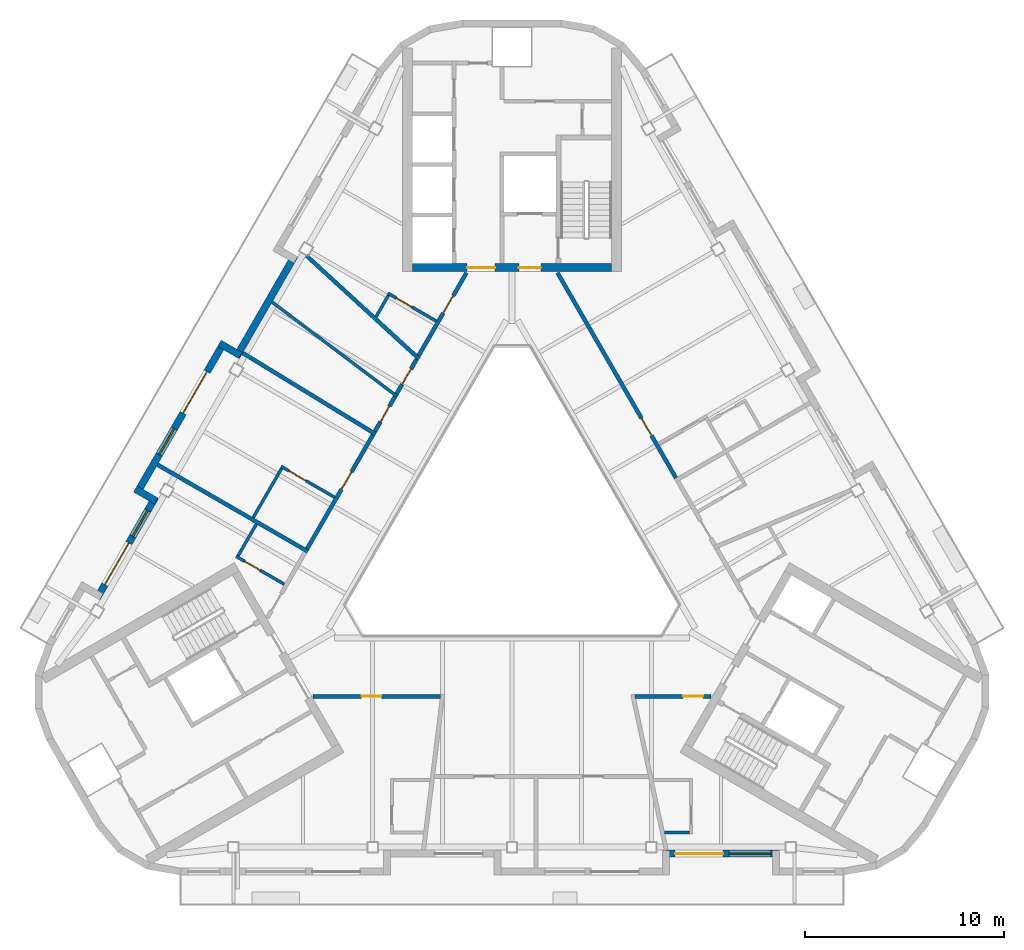
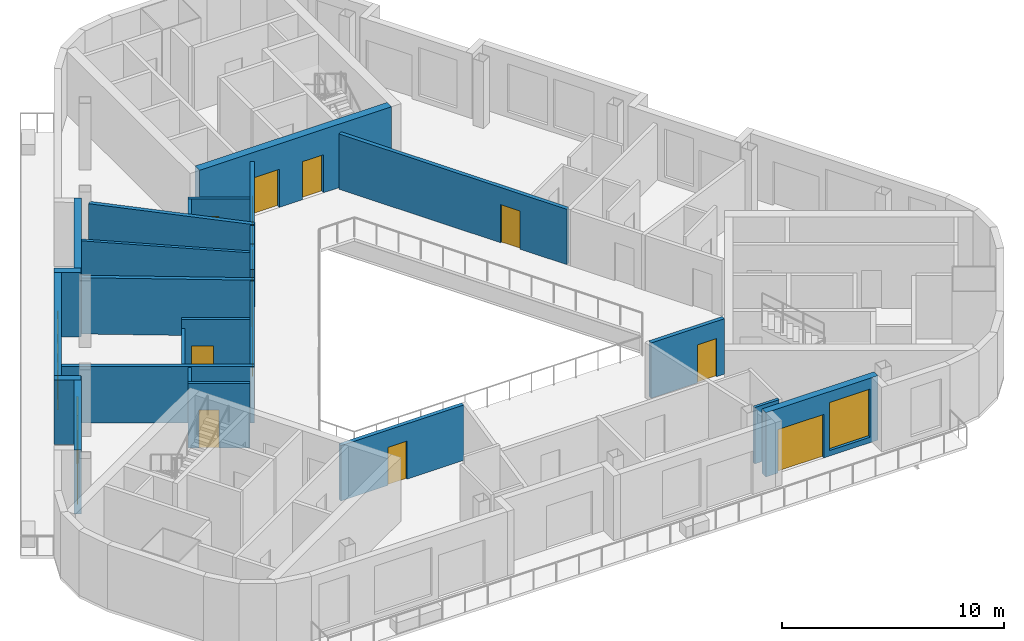
# One storey, part 4 of 12: 25 walls, 15 doors, 3 windows, 18 openings.
"""IFC4 building model written with IfcOpenShell, lengths in metres."""

from ifc_helpers import new_model, si_unit, direction, frame, frame_2d, origin, place, context, subcontext, project, spatial, rectangle, extrude, material, layer, layer_set, type_object, element, fill, save


model = new_model("IFC4")

# Units and contexts
model_context = context("Model", 3, precision=1e-05, world=origin(), true_north=direction((0.0, 1.0)))
body_context = subcontext(model_context, "Body", "Model", "MODEL_VIEW")
ifc_project = project(units=[si_unit("LENGTHUNIT", "METRE"), si_unit("AREAUNIT", "SQUARE_METRE"), si_unit("VOLUMEUNIT", "CUBIC_METRE"), si_unit("PLANEANGLEUNIT", "RADIAN"), si_unit("MASSUNIT", "GRAM", prefix="KILO")], contexts=[model_context])

# Site, building, storey
site_placement = place(None, origin())
site = spatial("IfcSite", under=ifc_project, at=site_placement, CompositionType="ELEMENT")
building_placement = place(site_placement, origin())
building = spatial("IfcBuilding", under=site, at=building_placement, Name="Apuvela Tower Hotel", CompositionType="ELEMENT")
storey_placement = place(building_placement, frame((0.0, 0.0, 294.800048828125)))
storey = spatial("IfcBuildingStorey", under=building, at=storey_placement, Name="L73", CompositionType="ELEMENT", Elevation=294.800048828125)

# Wall, openings, doors
ifc_material_1 = material(Name="Concrete C50/60", Category="concrete")
ifc_layer_1 = layer(ifc_material_1, 0.39990234375)
ifc_layer_set_1 = layer_set([ifc_layer_1], Name="COR-WALL-CORE-400")
wall_type_1 = type_object("IfcWallType", Name="COR-WALL-CORE-400", PredefinedType="SHEAR", material=ifc_layer_set_1)
wall_1_placement = place(storey_placement, frame((5.0, 13.10009765625, 0.0), z_axis=(0.0, 0.0, 1.0), x_axis=(-1.0, 0.0, 0.0)))
wall_1 = element("IfcWall", 1, at=wall_1_placement, inside=storey, type_object=wall_type_1, Name="Core wall N", PredefinedType="SHEAR", context=body_context, shape_type="SweptSolid", body=[
    extrude(rectangle(XDim=10.0, YDim=0.39990234375, at=frame_2d((5.0, 0.0))), origin(), (0.0, 0.0, 1.0), 3.5),
])
opening_1_placement = place(wall_1_placement, frame((3.550048828125, 0.0, 0.0)))
opening_1 = element("IfcOpeningElement", 2, at=opening_1_placement, cuts=wall_1, Name="Opening N-FD", PredefinedType="OPENING", context=body_context, shape_type="SweptSolid", body=[
    extrude(rectangle(XDim=1.10009765625, YDim=2.10009765625, at=frame_2d((0.550048828125, 1.050048828125))), frame((0.0, 0.2099609375, 0.0), z_axis=(0.0, -1.0, 0.0), x_axis=(1.0, 0.0, 0.0)), (0.0, 0.0, 1.0), 0.419921875),
])
opening_2_placement = place(wall_1_placement, frame((5.85009765625, 0.0, 0.0)))
opening_2 = element("IfcOpeningElement", 3, at=opening_2_placement, cuts=wall_1, Name="Opening N-GD", PredefinedType="OPENING", context=body_context, shape_type="SweptSolid", body=[
    extrude(rectangle(XDim=1.39990234375, YDim=2.10009765625, at=frame_2d((0.699951171875, 1.050048828125))), frame((0.0, 0.2099609375, 0.0), z_axis=(0.0, -1.0, 0.0), x_axis=(1.0, 0.0, 0.0)), (0.0, 0.0, 1.0), 0.419921875),
])
ifc_material_2 = material(Name="Steel fire door, powder coated", Category="steel")
door_type_1 = type_object("IfcDoorType", Name="COR-FD-1100", OperationType="NOTDEFINED", PredefinedType="DOOR", material=ifc_material_2)
door_1_placement = place(opening_1_placement, frame((1.10009765625, 0.0, 0.0), z_axis=(0.0, 0.0, 1.0), x_axis=(-1.0, 0.0, 0.0)))
door_1 = element("IfcDoor", 4, at=door_1_placement, inside=storey, type_object=door_type_1, Name="Firefighting lobby door N-FD", OperationType="SINGLE_SWING_LEFT", OverallHeight=2.10009765625, OverallWidth=1.10009765625, PredefinedType="DOOR", context=body_context, shape_type="SweptSolid", body=[
    extrude(rectangle(XDim=1.10009765625, YDim=2.10009765625, at=frame_2d((0.550048828125, 1.050048828125))), frame((0.0, 0.02490234375, 0.0), z_axis=(0.0, -1.0, 0.0), x_axis=(1.0, 0.0, 0.0)), (0.0, 0.0, 1.0), 0.050048828125),
])
fill(opening_1, door_1)
ifc_material_3 = material(Name="Glazed steel fire door", Category="steel")
door_type_2 = type_object("IfcDoorType", Name="COR-GD-1400", OperationType="DOUBLE_DOOR_SINGLE_SWING", PredefinedType="DOOR", material=ifc_material_3)
door_2_placement = place(opening_2_placement, frame((1.39990234375, 0.0, 0.0), z_axis=(0.0, 0.0, 1.0), x_axis=(-1.0, 0.0, 0.0)))
door_2 = element("IfcDoor", 5, at=door_2_placement, inside=storey, type_object=door_type_2, Name="Lift lobby door N-GD", OperationType="DOUBLE_DOOR_SINGLE_SWING", OverallHeight=2.10009765625, OverallWidth=1.39990234375, PredefinedType="DOOR", context=body_context, shape_type="SweptSolid", body=[
    extrude(rectangle(XDim=1.39990234375, YDim=2.10009765625, at=frame_2d((0.699951171875, 1.050048828125))), frame((0.0, 0.02490234375, 0.0), z_axis=(0.0, -1.0, 0.0), x_axis=(1.0, 0.0, 0.0)), (0.0, 0.0, 1.0), 0.050048828125),
])
fill(opening_2, door_2)

# Walls
ifc_material_4 = material(Name="Concrete C40/50, dark pigmented precast panel", Category="concrete")
ifc_layer_2 = layer(ifc_material_4, 0.35009765625)
ifc_layer_set_2 = layer_set([ifc_layer_2], Name="ENV-WALL-350")
wall_type_2 = type_object("IfcWallType", Name="ENV-WALL-350", PredefinedType="SOLIDWALL", material=ifc_layer_set_2)
wall_2_placement = place(storey_placement, frame((-10.901123046875, 13.692138671875, 0.0), z_axis=(0.0, 0.0, 1.0), x_axis=(-0.499987198161, -0.866032794804, 0.0)))
element("IfcWall", 6, at=wall_2_placement, inside=storey, type_object=wall_type_2, Name="External wall L73-03", PredefinedType="SOLIDWALL", context=body_context, shape_type="SweptSolid", body=[
    extrude(rectangle(XDim=5.827392578125, YDim=0.35009765625, at=frame_2d((2.91357421875, 0.0))), origin(), (0.0, 0.0, 1.0), 3.550048828125),
])
wall_3_placement = place(storey_placement, frame((-13.616455078125, 8.698486328125, 0.0), z_axis=(0.0, 0.0, 1.0), x_axis=(-0.866005645448, 0.500034220881, 0.0)))
element("IfcWall", 7, at=wall_3_placement, inside=storey, type_object=wall_type_2, Name="External wall L73-04", PredefinedType="SOLIDWALL", context=body_context, shape_type="SweptSolid", body=[
    extrude(rectangle(XDim=1.22021484375, YDim=0.35009765625, at=frame_2d((0.610107421875, 0.0))), origin(), (0.0, 0.0, 1.0), 3.550048828125),
])

# Wall, openings, door, window
wall_4_placement = place(storey_placement, frame((-14.43408203125, 9.372802734375, 0.0), z_axis=(0.0, 0.0, 1.0), x_axis=(-0.499999835575, -0.866025498715, 0.0)))
wall_4 = element("IfcWall", 8, at=wall_4_placement, inside=storey, type_object=wall_type_2, Name="External wall L73-05", PredefinedType="SOLIDWALL", context=body_context, shape_type="SweptSolid", body=[
    extrude(rectangle(XDim=8.787109375, YDim=0.35009765625, at=frame_2d((4.3935546875, 0.0))), origin(), (0.0, 0.0, 1.0), 3.550048828125),
])
opening_3_placement = place(wall_4_placement, frame((1.718994140625, 0.0, 0.0)))
opening_3 = element("IfcOpeningElement", 9, at=opening_3_placement, cuts=wall_4, Name="Opening BD24", PredefinedType="OPENING", context=body_context, shape_type="SweptSolid", body=[
    extrude(rectangle(XDim=2.39990234375, YDim=2.39990234375, at=frame_2d((1.199951171875, 1.199951171875))), frame((0.0, 0.18505859375, 0.0), z_axis=(0.0, -1.0, 0.0), x_axis=(1.0, 0.0, 0.0)), (0.0, 0.0, 1.0), 0.3701171875),
])
opening_4_placement = place(wall_4_placement, frame((5.012939453125, 0.0, 0.300048828125)))
opening_4 = element("IfcOpeningElement", 10, at=opening_4_placement, cuts=wall_4, Name="Opening WN15", PredefinedType="OPENING", context=body_context, shape_type="SweptSolid", body=[
    extrude(rectangle(XDim=1.5, YDim=2.64990234375, at=frame_2d((0.75, 1.324951171875))), frame((0.0, 0.18505859375, 0.0), z_axis=(0.0, -1.0, 0.0), x_axis=(1.0, 0.0, 0.0)), (0.0, 0.0, 1.0), 0.3701171875),
])
ifc_material_5 = material(Name="Aluminium 6063-T6, dark bronze anodised frame with dark tinted laminated glass", Category="aluminium")
door_type_3 = type_object("IfcDoorType", Name="ENV-DOOR-BALCONY-2400x2400", OperationType="SLIDING_TO_LEFT", PredefinedType="DOOR", material=ifc_material_5)
door_3_placement = place(opening_3_placement, frame((2.39990234375, 0.0, 0.0), z_axis=(0.0, 0.0, 1.0), x_axis=(-1.0, 0.0, 0.0)))
door_3 = element("IfcDoor", 11, at=door_3_placement, inside=storey, type_object=door_type_3, Name="Balcony door BD24", OperationType="SLIDING_TO_LEFT", OverallHeight=2.39990234375, OverallWidth=2.39990234375, PredefinedType="DOOR", context=body_context, shape_type="SweptSolid", body=[
    extrude(rectangle(XDim=2.39990234375, YDim=2.39990234375, at=frame_2d((1.199951171875, 1.199951171875))), frame((0.0, 0.02490234375, 0.0), z_axis=(0.0, -1.0, 0.0), x_axis=(1.0, 0.0, 0.0)), (0.0, 0.0, 1.0), 0.050048828125),
])
fill(opening_3, door_3)
ifc_material_6 = material(Name="Glass, dark tinted laminated insulated glazing unit", Category="glass")
window_type_1 = type_object("IfcWindowType", Name="ENV-WIN-1500x2650", PartitioningType="SINGLE_PANEL", PredefinedType="WINDOW", material=ifc_material_6)
window_1_placement = place(opening_4_placement, origin())
window_1 = element("IfcWindow", 12, at=window_1_placement, inside=storey, type_object=window_type_1, Name="Window WN15", OverallHeight=2.64990234375, OverallWidth=1.5, PartitioningType="SINGLE_PANEL", PredefinedType="WINDOW", context=body_context, shape_type="SweptSolid", body=[
    extrude(rectangle(XDim=1.5, YDim=2.64990234375, at=frame_2d((0.75, 1.324951171875))), frame((0.0, 0.030029296875, 0.0), z_axis=(0.0, -1.0, 0.0), x_axis=(1.0, 0.0, 0.0)), (0.0, 0.0, 1.0), 0.06005859375),
])
fill(opening_4, window_1)

# Wall
wall_5_placement = place(storey_placement, frame((-18.8916015625, 2.001953125, 0.0), z_axis=(0.0, 0.0, 1.0), x_axis=(0.866042269935, -0.499970785833, 0.0)))
element("IfcWall", 13, at=wall_5_placement, inside=storey, type_object=wall_type_2, Name="External wall L73-06", PredefinedType="SOLIDWALL", context=body_context, shape_type="SweptSolid", body=[
    extrude(rectangle(XDim=1.2197265625, YDim=0.35009765625, at=frame_2d((0.60986328125, 0.0))), origin(), (0.0, 0.0, 1.0), 3.550048828125),
])

# Wall, openings, door, window
wall_6_placement = place(storey_placement, frame((-17.88818359375, 1.590087890625, 0.0), z_axis=(0.0, 0.0, 1.0), x_axis=(-0.499987198161, -0.866032794804, 0.0)))
wall_6 = element("IfcWall", 14, at=wall_6_placement, inside=storey, type_object=wall_type_2, Name="External wall L73-07", PredefinedType="SOLIDWALL", context=body_context, shape_type="SweptSolid", body=[
    extrude(rectangle(XDim=5.827392578125, YDim=0.35009765625, at=frame_2d((2.91357421875, 0.0))), origin(), (0.0, 0.0, 1.0), 3.550048828125),
])
opening_5_placement = place(wall_6_placement, frame((2.6572265625, 0.0, 0.0)))
opening_5 = element("IfcOpeningElement", 15, at=opening_5_placement, cuts=wall_6, Name="Opening BD24", PredefinedType="OPENING", context=body_context, shape_type="SweptSolid", body=[
    extrude(rectangle(XDim=2.39990234375, YDim=2.39990234375, at=frame_2d((1.199951171875, 1.199951171875))), frame((0.0, 0.18505859375, 0.0), z_axis=(0.0, -1.0, 0.0), x_axis=(1.0, 0.0, 0.0)), (0.0, 0.0, 1.0), 0.3701171875),
])
opening_6_placement = place(wall_6_placement, frame((0.77001953125, 0.0, 0.300048828125)))
opening_6 = element("IfcOpeningElement", 16, at=opening_6_placement, cuts=wall_6, Name="Opening WN15", PredefinedType="OPENING", context=body_context, shape_type="SweptSolid", body=[
    extrude(rectangle(XDim=1.5, YDim=2.64990234375, at=frame_2d((0.75, 1.324951171875))), frame((0.0, 0.18505859375, 0.0), z_axis=(0.0, -1.0, 0.0), x_axis=(1.0, 0.0, 0.0)), (0.0, 0.0, 1.0), 0.3701171875),
])
door_4_placement = place(opening_5_placement, frame((2.39990234375, 0.0, 0.0), z_axis=(0.0, 0.0, 1.0), x_axis=(-1.0, 0.0, 0.0)))
door_4 = element("IfcDoor", 17, at=door_4_placement, inside=storey, type_object=door_type_3, Name="Balcony door BD24", OperationType="SLIDING_TO_LEFT", OverallHeight=2.39990234375, OverallWidth=2.39990234375, PredefinedType="DOOR", context=body_context, shape_type="SweptSolid", body=[
    extrude(rectangle(XDim=2.39990234375, YDim=2.39990234375, at=frame_2d((1.199951171875, 1.199951171875))), frame((0.0, 0.02490234375, 0.0), z_axis=(0.0, -1.0, 0.0), x_axis=(1.0, 0.0, 0.0)), (0.0, 0.0, 1.0), 0.050048828125),
])
fill(opening_5, door_4)
window_2_placement = place(opening_6_placement, origin())
window_2 = element("IfcWindow", 18, at=window_2_placement, inside=storey, type_object=window_type_1, Name="Window WN15", OverallHeight=2.64990234375, OverallWidth=1.5, PartitioningType="SINGLE_PANEL", PredefinedType="WINDOW", context=body_context, shape_type="SweptSolid", body=[
    extrude(rectangle(XDim=1.5, YDim=2.64990234375, at=frame_2d((0.75, 1.324951171875))), frame((0.0, 0.030029296875, 0.0), z_axis=(0.0, -1.0, 0.0), x_axis=(1.0, 0.0, 0.0)), (0.0, 0.0, 1.0), 0.06005859375),
])
fill(opening_6, window_2)

wall_7_placement = place(storey_placement, frame((7.567138671875, -16.28662109375, 0.0), z_axis=(0.0, 0.0, 1.0), x_axis=(1.0, 0.0, 0.0)))
wall_7 = element("IfcWall", 19, at=wall_7_placement, inside=storey, type_object=wall_type_2, Name="External wall L73-23", PredefinedType="SOLIDWALL", context=body_context, shape_type="SweptSolid", body=[
    extrude(rectangle(XDim=5.8271484375, YDim=0.35009765625, at=frame_2d((2.91357421875, 0.0))), origin(), (0.0, 0.0, 1.0), 3.550048828125),
])
opening_7_placement = place(wall_7_placement, frame((0.616943359375, 0.0, 0.0)))
opening_7 = element("IfcOpeningElement", 20, at=opening_7_placement, cuts=wall_7, Name="Opening BD24", PredefinedType="OPENING", context=body_context, shape_type="SweptSolid", body=[
    extrude(rectangle(XDim=2.39990234375, YDim=2.39990234375, at=frame_2d((1.199951171875, 1.199951171875))), frame((0.0, 0.18505859375, 0.0), z_axis=(0.0, -1.0, 0.0), x_axis=(1.0, 0.0, 0.0)), (0.0, 0.0, 1.0), 0.3701171875),
])
opening_8_placement = place(wall_7_placement, frame((3.31689453125, 0.0, 0.300048828125)))
opening_8 = element("IfcOpeningElement", 21, at=opening_8_placement, cuts=wall_7, Name="Opening WN21", PredefinedType="OPENING", context=body_context, shape_type="SweptSolid", body=[
    extrude(rectangle(XDim=2.10009765625, YDim=2.64990234375, at=frame_2d((1.050048828125, 1.324951171875))), frame((0.0, 0.18505859375, 0.0), z_axis=(0.0, -1.0, 0.0), x_axis=(1.0, 0.0, 0.0)), (0.0, 0.0, 1.0), 0.3701171875),
])
door_5_placement = place(opening_7_placement, frame((2.39990234375, 0.0, 0.0), z_axis=(0.0, 0.0, 1.0), x_axis=(-1.0, 0.0, 0.0)))
door_5 = element("IfcDoor", 22, at=door_5_placement, inside=storey, type_object=door_type_3, Name="Balcony door BD24", OperationType="SLIDING_TO_LEFT", OverallHeight=2.39990234375, OverallWidth=2.39990234375, PredefinedType="DOOR", context=body_context, shape_type="SweptSolid", body=[
    extrude(rectangle(XDim=2.39990234375, YDim=2.39990234375, at=frame_2d((1.199951171875, 1.199951171875))), frame((0.0, 0.02490234375, 0.0), z_axis=(0.0, -1.0, 0.0), x_axis=(1.0, 0.0, 0.0)), (0.0, 0.0, 1.0), 0.050048828125),
])
fill(opening_7, door_5)
window_type_2 = type_object("IfcWindowType", Name="ENV-WIN-2100x2650", PartitioningType="SINGLE_PANEL", PredefinedType="WINDOW", material=ifc_material_6)
window_3_placement = place(opening_8_placement, origin())
window_3 = element("IfcWindow", 23, at=window_3_placement, inside=storey, type_object=window_type_2, Name="Window WN21", OverallHeight=2.64990234375, OverallWidth=2.10009765625, PartitioningType="SINGLE_PANEL", PredefinedType="WINDOW", context=body_context, shape_type="SweptSolid", body=[
    extrude(rectangle(XDim=2.10009765625, YDim=2.64990234375, at=frame_2d((1.050048828125, 1.324951171875))), frame((0.0, 0.030029296875, 0.0), z_axis=(0.0, -1.0, 0.0), x_axis=(1.0, 0.0, 0.0)), (0.0, 0.0, 1.0), 0.06005859375),
])
fill(opening_8, window_3)

# Walls
ifc_material_7 = material(Name="Gypsum board partition on twin steel stud", Category="steel")
ifc_layer_3 = layer(ifc_material_7, 0.199951171875)
ifc_layer_set_3 = layer_set([ifc_layer_3], Name="GST-PW1")
wall_type_3 = type_object("IfcWallType", Name="GST-PW1", PredefinedType="PARTITIONING", material=ifc_layer_set_3)
wall_8_placement = place(storey_placement, frame((-10.30224609375, 13.698486328125, 0.0), z_axis=(0.0, 0.0, 1.0), x_axis=(0.737268015828, -0.675600379541, 0.0)))
element("IfcWall", 24, at=wall_8_placement, inside=storey, type_object=wall_type_3, Name="L73 partition 06", PredefinedType="PARTITIONING", context=body_context, shape_type="SweptSolid", body=[
    extrude(rectangle(XDim=7.652587890625, YDim=0.199951171875, at=frame_2d((3.826171875, 0.0))), origin(), (0.0, 0.0, 1.0), 3.099853515625),
])
wall_9_placement = place(storey_placement, frame((-13.50927734375, 8.82470703125, 0.0), z_axis=(0.0, 0.0, 1.0), x_axis=(0.853427769022, -0.521211130984, 0.0)))
element("IfcWall", 25, at=wall_9_placement, inside=storey, type_object=wall_type_3, Name="L73 partition 07", PredefinedType="PARTITIONING", context=body_context, shape_type="SweptSolid", body=[
    extrude(rectangle(XDim=7.81396484375, YDim=0.199951171875, at=frame_2d((3.906982421875, 0.0))), origin(), (0.0, 0.0, 1.0), 3.099853515625),
])
wall_10_placement = place(storey_placement, frame((-17.782470703125, 3.22314453125, 0.0), z_axis=(0.0, 0.0, 1.0), x_axis=(0.866016642396, -0.500015174863, 0.0)))
element("IfcWall", 26, at=wall_10_placement, inside=storey, type_object=wall_type_3, Name="L73 partition 08", PredefinedType="PARTITIONING", context=body_context, shape_type="SweptSolid", body=[
    extrude(rectangle(XDim=8.711669921875, YDim=0.199951171875, at=frame_2d((4.35595703125, 0.0))), origin(), (0.0, 0.0, 1.0), 3.099853515625),
])

# Wall, opening, door
ifc_material_8 = material(Name="Gypsum board corridor wall on twin steel stud, acoustic", Category="steel")
ifc_layer_4 = layer(ifc_material_8, 0.199951171875)
ifc_layer_set_4 = layer_set([ifc_layer_4], Name="GST-PW2")
wall_type_4 = type_object("IfcWallType", Name="GST-PW2", PredefinedType="PARTITIONING", material=ifc_layer_set_4)
wall_11_placement = place(storey_placement, frame((-3.58837890625, -8.39990234375, 0.0), z_axis=(0.0, 0.0, 1.0), x_axis=(-1.0, 0.0, 0.0)))
wall_11 = element("IfcWall", 27, at=wall_11_placement, inside=storey, type_object=wall_type_4, Name="L73 partition 09", PredefinedType="PARTITIONING", context=body_context, shape_type="SweptSolid", body=[
    extrude(rectangle(XDim=6.39990234375, YDim=0.199951171875, at=frame_2d((3.199951171875, 0.0))), origin(), (0.0, 0.0, 1.0), 3.050048828125),
])
opening_9_placement = place(wall_11_placement, frame((2.957275390625, 0.0, 0.0)))
opening_9 = element("IfcOpeningElement", 28, at=opening_9_placement, cuts=wall_11, Name="Opening GD29-02", PredefinedType="OPENING", context=body_context, shape_type="SweptSolid", body=[
    extrude(rectangle(XDim=1.0, YDim=2.10009765625, at=frame_2d((0.5, 1.050048828125))), frame((0.0, 0.10986328125, 0.0), z_axis=(0.0, -1.0, 0.0), x_axis=(1.0, 0.0, 0.0)), (0.0, 0.0, 1.0), 0.219970703125),
])
ifc_material_9 = material(Name="Timber door leaf in steel frame", Category="steel")
door_type_4 = type_object("IfcDoorType", Name="GST-D1", OperationType="NOTDEFINED", PredefinedType="DOOR", material=ifc_material_9)
door_6_placement = place(opening_9_placement, origin())
door_6 = element("IfcDoor", 29, at=door_6_placement, inside=storey, type_object=door_type_4, Name="Door L73-02", OperationType="SINGLE_SWING_RIGHT", OverallHeight=2.10009765625, OverallWidth=1.0, PredefinedType="DOOR", context=body_context, shape_type="SweptSolid", body=[
    extrude(rectangle(XDim=1.0, YDim=2.10009765625, at=frame_2d((0.5, 1.050048828125))), frame((0.0, 0.02490234375, 0.0), z_axis=(0.0, -1.0, 0.0), x_axis=(1.0, 0.0, 0.0)), (0.0, 0.0, 1.0), 0.050048828125),
])
fill(opening_9, door_6)

wall_12_placement = place(storey_placement, frame((9.98828125, -8.39990234375, 0.0), z_axis=(0.0, 0.0, 1.0), x_axis=(-1.0, 0.0, 0.0)))
wall_12 = element("IfcWall", 30, at=wall_12_placement, inside=storey, type_object=wall_type_4, Name="L73 partition 15", PredefinedType="PARTITIONING", context=body_context, shape_type="SweptSolid", body=[
    extrude(rectangle(XDim=3.807373046875, YDim=0.199951171875, at=frame_2d((1.90380859375, 0.0))), origin(), (0.0, 0.0, 1.0), 3.050048828125),
])
opening_10_placement = place(wall_12_placement, frame((0.39990234375, 0.0, 0.0)))
opening_10 = element("IfcOpeningElement", 31, at=opening_10_placement, cuts=wall_12, Name="Opening GD29-06", PredefinedType="OPENING", context=body_context, shape_type="SweptSolid", body=[
    extrude(rectangle(XDim=1.0, YDim=2.10009765625, at=frame_2d((0.5, 1.050048828125))), frame((0.0, 0.10986328125, 0.0), z_axis=(0.0, -1.0, 0.0), x_axis=(1.0, 0.0, 0.0)), (0.0, 0.0, 1.0), 0.219970703125),
])
door_7_placement = place(opening_10_placement, origin())
door_7 = element("IfcDoor", 32, at=door_7_placement, inside=storey, type_object=door_type_4, Name="Door L73-06", OperationType="SINGLE_SWING_LEFT", OverallHeight=2.10009765625, OverallWidth=1.0, PredefinedType="DOOR", context=body_context, shape_type="SweptSolid", body=[
    extrude(rectangle(XDim=1.0, YDim=2.10009765625, at=frame_2d((0.5, 1.050048828125))), frame((0.0, 0.02490234375, 0.0), z_axis=(0.0, -1.0, 0.0), x_axis=(1.0, 0.0, 0.0)), (0.0, 0.0, 1.0), 0.050048828125),
])
fill(opening_10, door_7)

wall_13_placement = place(storey_placement, frame((2.280517578125, 12.85009765625, 0.0), z_axis=(0.0, 0.0, 1.0), x_axis=(0.500002143212, -0.866024166397, 0.0)))
wall_13 = element("IfcWall", 33, at=wall_13_placement, inside=storey, type_object=wall_type_4, Name="L73 partition 25", PredefinedType="PARTITIONING", context=body_context, shape_type="SweptSolid", body=[
    extrude(rectangle(XDim=11.88818359375, YDim=0.199951171875, at=frame_2d((5.944091796875, 0.0))), origin(), (0.0, 0.0, 1.0), 3.050048828125),
])
opening_11_placement = place(wall_13_placement, frame((8.438232421875, 0.0, 0.0)))
opening_11 = element("IfcOpeningElement", 34, at=opening_11_placement, cuts=wall_13, Name="Opening GD29-13", PredefinedType="OPENING", context=body_context, shape_type="SweptSolid", body=[
    extrude(rectangle(XDim=1.0, YDim=2.10009765625, at=frame_2d((0.5, 1.050048828125))), frame((0.0, 0.10986328125, 0.0), z_axis=(0.0, -1.0, 0.0), x_axis=(1.0, 0.0, 0.0)), (0.0, 0.0, 1.0), 0.219970703125),
])
door_8_placement = place(opening_11_placement, origin())
door_8 = element("IfcDoor", 35, at=door_8_placement, inside=storey, type_object=door_type_4, Name="Door L73-13", OperationType="SINGLE_SWING_LEFT", OverallHeight=2.10009765625, OverallWidth=1.0, PredefinedType="DOOR", context=body_context, shape_type="SweptSolid", body=[
    extrude(rectangle(XDim=1.0, YDim=2.10009765625, at=frame_2d((0.5, 1.050048828125))), frame((0.0, 0.02490234375, 0.0), z_axis=(0.0, -1.0, 0.0), x_axis=(1.0, 0.0, 0.0)), (0.0, 0.0, 1.0), 0.050048828125),
])
fill(opening_11, door_8)

wall_14_placement = place(storey_placement, frame((-4.6845703125, 8.686279296875, 0.0), z_axis=(0.0, 0.0, 1.0), x_axis=(0.500011088314, 0.866019001848, 0.0)))
wall_14 = element("IfcWall", 36, at=wall_14_placement, inside=storey, type_object=wall_type_4, Name="L73 partition 30", PredefinedType="PARTITIONING", context=body_context, shape_type="SweptSolid", body=[
    extrude(rectangle(XDim=4.80810546875, YDim=0.199951171875, at=frame_2d((2.404052734375, 0.0))), origin(), (0.0, 0.0, 1.0), 3.050048828125),
])
opening_12_placement = place(wall_14_placement, frame((2.47216796875, 0.0, 0.0)))
opening_12 = element("IfcOpeningElement", 37, at=opening_12_placement, cuts=wall_14, Name="Opening GD29-15", PredefinedType="OPENING", context=body_context, shape_type="SweptSolid", body=[
    extrude(rectangle(XDim=1.0, YDim=2.10009765625, at=frame_2d((0.5, 1.050048828125))), frame((0.0, 0.10986328125, 0.0), z_axis=(0.0, -1.0, 0.0), x_axis=(1.0, 0.0, 0.0)), (0.0, 0.0, 1.0), 0.219970703125),
])
door_9_placement = place(opening_12_placement, origin())
door_9 = element("IfcDoor", 38, at=door_9_placement, inside=storey, type_object=door_type_4, Name="Door L73-15", OperationType="SINGLE_SWING_RIGHT", OverallHeight=2.10009765625, OverallWidth=1.0, PredefinedType="DOOR", context=body_context, shape_type="SweptSolid", body=[
    extrude(rectangle(XDim=1.0, YDim=2.10009765625, at=frame_2d((0.5, 1.050048828125))), frame((0.0, 0.02490234375, 0.0), z_axis=(0.0, -1.0, 0.0), x_axis=(1.0, 0.0, 0.0)), (0.0, 0.0, 1.0), 0.050048828125),
])
fill(opening_12, door_9)

wall_15_placement = place(storey_placement, frame((-5.793212890625, 6.765869140625, 0.0), z_axis=(0.0, 0.0, 1.0), x_axis=(0.500026968848, 0.866009832753, 0.0)))
wall_15 = element("IfcWall", 39, at=wall_15_placement, inside=storey, type_object=wall_type_4, Name="L73 partition 34", PredefinedType="PARTITIONING", context=body_context, shape_type="SweptSolid", body=[
    extrude(rectangle(XDim=2.0126953125, YDim=0.199951171875, at=frame_2d((1.00634765625, 0.0))), origin(), (0.0, 0.0, 1.0), 3.050048828125),
])
opening_13_placement = place(wall_15_placement, frame((0.556396484375, 0.0, 0.0)))
opening_13 = element("IfcOpeningElement", 40, at=opening_13_placement, cuts=wall_15, Name="Opening GD29-16", PredefinedType="OPENING", context=body_context, shape_type="SweptSolid", body=[
    extrude(rectangle(XDim=0.89990234375, YDim=2.10009765625, at=frame_2d((0.449951171875, 1.050048828125))), frame((0.0, 0.10986328125, 0.0), z_axis=(0.0, -1.0, 0.0), x_axis=(1.0, 0.0, 0.0)), (0.0, 0.0, 1.0), 0.219970703125),
])
door_type_5 = type_object("IfcDoorType", Name="GST-D2", OperationType="NOTDEFINED", PredefinedType="DOOR", material=ifc_material_9)
door_10_placement = place(opening_13_placement, origin())
door_10 = element("IfcDoor", 41, at=door_10_placement, inside=storey, type_object=door_type_5, Name="Door L73-16", OperationType="SINGLE_SWING_LEFT", OverallHeight=2.10009765625, OverallWidth=0.89990234375, PredefinedType="DOOR", context=body_context, shape_type="SweptSolid", body=[
    extrude(rectangle(XDim=0.89990234375, YDim=2.10009765625, at=frame_2d((0.449951171875, 1.050048828125))), frame((0.0, 0.02490234375, 0.0), z_axis=(0.0, -1.0, 0.0), x_axis=(1.0, 0.0, 0.0)), (0.0, 0.0, 1.0), 0.050048828125),
])
fill(opening_13, door_10)

wall_16_placement = place(storey_placement, frame((-6.875732421875, 4.890625, 0.0), z_axis=(0.0, 0.0, 1.0), x_axis=(0.499865783083, 0.866102880092, 0.0)))
wall_16 = element("IfcWall", 42, at=wall_16_placement, inside=storey, type_object=wall_type_4, Name="L73 partition 35", PredefinedType="PARTITIONING", context=body_context, shape_type="SweptSolid", body=[
    extrude(rectangle(XDim=2.01513671875, YDim=0.199951171875, at=frame_2d((1.007568359375, 0.0))), origin(), (0.0, 0.0, 1.0), 3.550048828125),
])
opening_14_placement = place(wall_16_placement, frame((0.5576171875, 0.0, 0.0)))
opening_14 = element("IfcOpeningElement", 43, at=opening_14_placement, cuts=wall_16, Name="Opening GD29-17", PredefinedType="OPENING", context=body_context, shape_type="SweptSolid", body=[
    extrude(rectangle(XDim=0.89990234375, YDim=2.10009765625, at=frame_2d((0.449951171875, 1.050048828125))), frame((0.0, 0.10986328125, 0.0), z_axis=(0.0, -1.0, 0.0), x_axis=(1.0, 0.0, 0.0)), (0.0, 0.0, 1.0), 0.219970703125),
])
door_11_placement = place(opening_14_placement, origin())
door_11 = element("IfcDoor", 44, at=door_11_placement, inside=storey, type_object=door_type_5, Name="Door L73-17", OperationType="SINGLE_SWING_RIGHT", OverallHeight=2.10009765625, OverallWidth=0.89990234375, PredefinedType="DOOR", context=body_context, shape_type="SweptSolid", body=[
    extrude(rectangle(XDim=0.89990234375, YDim=2.10009765625, at=frame_2d((0.449951171875, 1.050048828125))), frame((0.0, 0.02490234375, 0.0), z_axis=(0.0, -1.0, 0.0), x_axis=(1.0, 0.0, 0.0)), (0.0, 0.0, 1.0), 0.050048828125),
])
fill(opening_14, door_11)

wall_17_placement = place(storey_placement, frame((-10.274658203125, -0.99609375, 0.0), z_axis=(0.0, 0.0, 1.0), x_axis=(0.500007539231, 0.866021050964, 0.0)))
wall_17 = element("IfcWall", 45, at=wall_17_placement, inside=storey, type_object=wall_type_4, Name="L73 partition 36", PredefinedType="PARTITIONING", context=body_context, shape_type="SweptSolid", body=[
    extrude(rectangle(XDim=6.59765625, YDim=0.199951171875, at=frame_2d((3.298828125, 0.0))), origin(), (0.0, 0.0, 1.0), 3.050048828125),
])
opening_15_placement = place(wall_17_placement, frame((3.449951171875, 0.0, 0.0)))
opening_15 = element("IfcOpeningElement", 46, at=opening_15_placement, cuts=wall_17, Name="Opening GD29-19", PredefinedType="OPENING", context=body_context, shape_type="SweptSolid", body=[
    extrude(rectangle(XDim=1.0, YDim=2.10009765625, at=frame_2d((0.5, 1.050048828125))), frame((0.0, 0.10986328125, 0.0), z_axis=(0.0, -1.0, 0.0), x_axis=(1.0, 0.0, 0.0)), (0.0, 0.0, 1.0), 0.219970703125),
])
door_12_placement = place(opening_15_placement, origin())
door_12 = element("IfcDoor", 47, at=door_12_placement, inside=storey, type_object=door_type_4, Name="Door L73-19", OperationType="SINGLE_SWING_RIGHT", OverallHeight=2.10009765625, OverallWidth=1.0, PredefinedType="DOOR", context=body_context, shape_type="SweptSolid", body=[
    extrude(rectangle(XDim=1.0, YDim=2.10009765625, at=frame_2d((0.5, 1.050048828125))), frame((0.0, 0.02490234375, 0.0), z_axis=(0.0, -1.0, 0.0), x_axis=(1.0, 0.0, 0.0)), (0.0, 0.0, 1.0), 0.050048828125),
])
fill(opening_15, door_12)

# Wall
ifc_material_10 = material(Name="Moisture-resistant gypsum board wet wall on steel stud", Category="steel")
ifc_layer_5 = layer(ifc_material_10, 0.14990234375)
ifc_layer_set_5 = layer_set([ifc_layer_5], Name="GST-PW3")
wall_type_5 = type_object("IfcWallType", Name="GST-PW3", PredefinedType="PARTITIONING", material=ifc_layer_set_5)
wall_18_placement = place(storey_placement, frame((7.650634765625, -15.236572265625, 0.0), z_axis=(0.0, 0.0, 1.0), x_axis=(1.0, 0.0, 0.0)))
element("IfcWall", 48, at=wall_18_placement, inside=storey, type_object=wall_type_5, Name="L73 partition 17", PredefinedType="PARTITIONING", context=body_context, shape_type="SweptSolid", body=[
    extrude(rectangle(XDim=1.26416015625, YDim=0.14990234375, at=frame_2d((0.632080078125, 0.0))), origin(), (0.0, 0.0, 1.0), 3.099853515625),
])

# Wall, opening, door
wall_19_placement = place(storey_placement, frame((-3.797607421875, 10.422607421875, 0.0), z_axis=(0.0, 0.0, 1.0), x_axis=(-0.866034573852, 0.49998411664, 0.0)))
wall_19 = element("IfcWall", 49, at=wall_19_placement, inside=storey, type_object=wall_type_5, Name="L73 partition 31", PredefinedType="PARTITIONING", context=body_context, shape_type="SweptSolid", body=[
    extrude(rectangle(XDim=2.7998046875, YDim=0.14990234375, at=frame_2d((1.39990234375, 0.0))), origin(), (0.0, 0.0, 1.0), 3.050048828125),
])
opening_16_placement = place(wall_19_placement, frame((1.39990234375, 0.0, 0.0)))
opening_16 = element("IfcOpeningElement", 50, at=opening_16_placement, cuts=wall_19, Name="Opening GD29-14", PredefinedType="OPENING", context=body_context, shape_type="SweptSolid", body=[
    extrude(rectangle(XDim=0.89990234375, YDim=2.10009765625, at=frame_2d((0.449951171875, 1.050048828125))), frame((0.0, 0.0849609375, 0.0), z_axis=(0.0, -1.0, 0.0), x_axis=(1.0, 0.0, 0.0)), (0.0, 0.0, 1.0), 0.169921875),
])
door_13_placement = place(opening_16_placement, origin())
door_13 = element("IfcDoor", 51, at=door_13_placement, inside=storey, type_object=door_type_5, Name="Door L73-14", OperationType="SINGLE_SWING_RIGHT", OverallHeight=2.10009765625, OverallWidth=0.89990234375, PredefinedType="DOOR", context=body_context, shape_type="SweptSolid", body=[
    extrude(rectangle(XDim=0.89990234375, YDim=2.10009765625, at=frame_2d((0.449951171875, 1.050048828125))), frame((0.0, 0.02490234375, 0.0), z_axis=(0.0, -1.0, 0.0), x_axis=(1.0, 0.0, 0.0)), (0.0, 0.0, 1.0), 0.050048828125),
])
fill(opening_16, door_13)

# Walls
wall_20_placement = place(storey_placement, frame((-6.19482421875, 11.72021484375, 0.0), z_axis=(0.0, 0.0, 1.0), x_axis=(-0.500016430238, -0.866015917575, 0.0)))
element("IfcWall", 52, at=wall_20_placement, inside=storey, type_object=wall_type_5, Name="L73 partition 32", PredefinedType="PARTITIONING", context=body_context, shape_type="SweptSolid", body=[
    extrude(rectangle(XDim=1.24609375, YDim=0.14990234375, at=frame_2d((0.623046875, 0.0))), origin(), (0.0, 0.0, 1.0), 3.050048828125),
])
wall_21_placement = place(storey_placement, frame((-12.0341796875, 11.37939453125, 0.0), z_axis=(0.0, 0.0, 1.0), x_axis=(0.798392848023, -0.602136911528, 0.0)))
element("IfcWall", 53, at=wall_21_placement, inside=storey, type_object=wall_type_5, Name="L73 partition 33", PredefinedType="PARTITIONING", context=body_context, shape_type="SweptSolid", body=[
    extrude(rectangle(XDim=7.870849609375, YDim=0.14990234375, at=frame_2d((3.935546875, 0.0))), origin(), (0.0, 0.0, 1.0), 3.050048828125),
])

# Wall, opening, door
wall_22_placement = place(storey_placement, frame((-8.898681640625, 1.5869140625, 0.0), z_axis=(0.0, 0.0, 1.0), x_axis=(-0.86602952684, 0.49999285859, 0.0)))
wall_22 = element("IfcWall", 54, at=wall_22_placement, inside=storey, type_object=wall_type_5, Name="L73 partition 37", PredefinedType="PARTITIONING", context=body_context, shape_type="SweptSolid", body=[
    extrude(rectangle(XDim=3.10009765625, YDim=0.14990234375, at=frame_2d((1.550048828125, 0.0))), origin(), (0.0, 0.0, 1.0), 3.550048828125),
])
opening_17_placement = place(wall_22_placement, frame((1.64990234375, 0.0, 0.0)))
opening_17 = element("IfcOpeningElement", 55, at=opening_17_placement, cuts=wall_22, Name="Opening GD29-18", PredefinedType="OPENING", context=body_context, shape_type="SweptSolid", body=[
    extrude(rectangle(XDim=1.0, YDim=2.10009765625, at=frame_2d((0.5, 1.050048828125))), frame((0.0, 0.0849609375, 0.0), z_axis=(0.0, -1.0, 0.0), x_axis=(1.0, 0.0, 0.0)), (0.0, 0.0, 1.0), 0.169921875),
])
door_14_placement = place(opening_17_placement, origin())
door_14 = element("IfcDoor", 56, at=door_14_placement, inside=storey, type_object=door_type_4, Name="Door L73-18", OperationType="SINGLE_SWING_RIGHT", OverallHeight=2.10009765625, OverallWidth=1.0, PredefinedType="DOOR", context=body_context, shape_type="SweptSolid", body=[
    extrude(rectangle(XDim=1.0, YDim=2.10009765625, at=frame_2d((0.5, 1.050048828125))), frame((0.0, 0.02490234375, 0.0), z_axis=(0.0, -1.0, 0.0), x_axis=(1.0, 0.0, 0.0)), (0.0, 0.0, 1.0), 0.050048828125),
])
fill(opening_17, door_14)

# Wall
wall_23_placement = place(storey_placement, frame((-11.555908203125, 3.034423828125, 0.0), z_axis=(0.0, 0.0, 1.0), x_axis=(-0.500036373335, -0.866004402611, 0.0)))
element("IfcWall", 57, at=wall_23_placement, inside=storey, type_object=wall_type_5, Name="L73 partition 38", PredefinedType="PARTITIONING", context=body_context, shape_type="SweptSolid", body=[
    extrude(rectangle(XDim=2.849853515625, YDim=0.14990234375, at=frame_2d((1.4248046875, 0.0))), origin(), (0.0, 0.0, 1.0), 3.050048828125),
])

# Wall, opening, door
wall_24_placement = place(storey_placement, frame((-13.8427734375, -1.376220703125, 0.0), z_axis=(0.0, 0.0, 1.0), x_axis=(0.866056369097, -0.49994636267, 0.0)))
wall_24 = element("IfcWall", 58, at=wall_24_placement, inside=storey, type_object=wall_type_5, Name="L73 partition 40", PredefinedType="PARTITIONING", context=body_context, shape_type="SweptSolid", body=[
    extrude(rectangle(XDim=2.800048828125, YDim=0.14990234375, at=frame_2d((1.39990234375, 0.0))), origin(), (0.0, 0.0, 1.0), 3.550048828125),
])
opening_18_placement = place(wall_24_placement, frame((0.5, 0.0, 0.0)))
opening_18 = element("IfcOpeningElement", 59, at=opening_18_placement, cuts=wall_24, Name="Opening GD29-20", PredefinedType="OPENING", context=body_context, shape_type="SweptSolid", body=[
    extrude(rectangle(XDim=0.89990234375, YDim=2.10009765625, at=frame_2d((0.449951171875, 1.050048828125))), frame((0.0, 0.0849609375, 0.0), z_axis=(0.0, -1.0, 0.0), x_axis=(1.0, 0.0, 0.0)), (0.0, 0.0, 1.0), 0.169921875),
])
door_15_placement = place(opening_18_placement, origin())
door_15 = element("IfcDoor", 60, at=door_15_placement, inside=storey, type_object=door_type_5, Name="Door L73-20", OperationType="SINGLE_SWING_LEFT", OverallHeight=2.10009765625, OverallWidth=0.89990234375, PredefinedType="DOOR", context=body_context, shape_type="SweptSolid", body=[
    extrude(rectangle(XDim=0.89990234375, YDim=2.10009765625, at=frame_2d((0.449951171875, 1.050048828125))), frame((0.0, 0.02490234375, 0.0), z_axis=(0.0, -1.0, 0.0), x_axis=(1.0, 0.0, 0.0)), (0.0, 0.0, 1.0), 0.050048828125),
])
fill(opening_18, door_15)

# Wall
wall_25_placement = place(storey_placement, frame((-12.821044921875, 0.2431640625, 0.0), z_axis=(0.0, 0.0, 1.0), x_axis=(-0.500009850223, -0.866019716681, 0.0)))
element("IfcWall", 61, at=wall_25_placement, inside=storey, type_object=wall_type_5, Name="L73 partition 41", PredefinedType="PARTITIONING", context=body_context, shape_type="SweptSolid", body=[
    extrude(rectangle(XDim=1.83837890625, YDim=0.14990234375, at=frame_2d((0.919189453125, 0.0))), origin(), (0.0, 0.0, 1.0), 3.050048828125),
])

save(model, "model.ifc")
